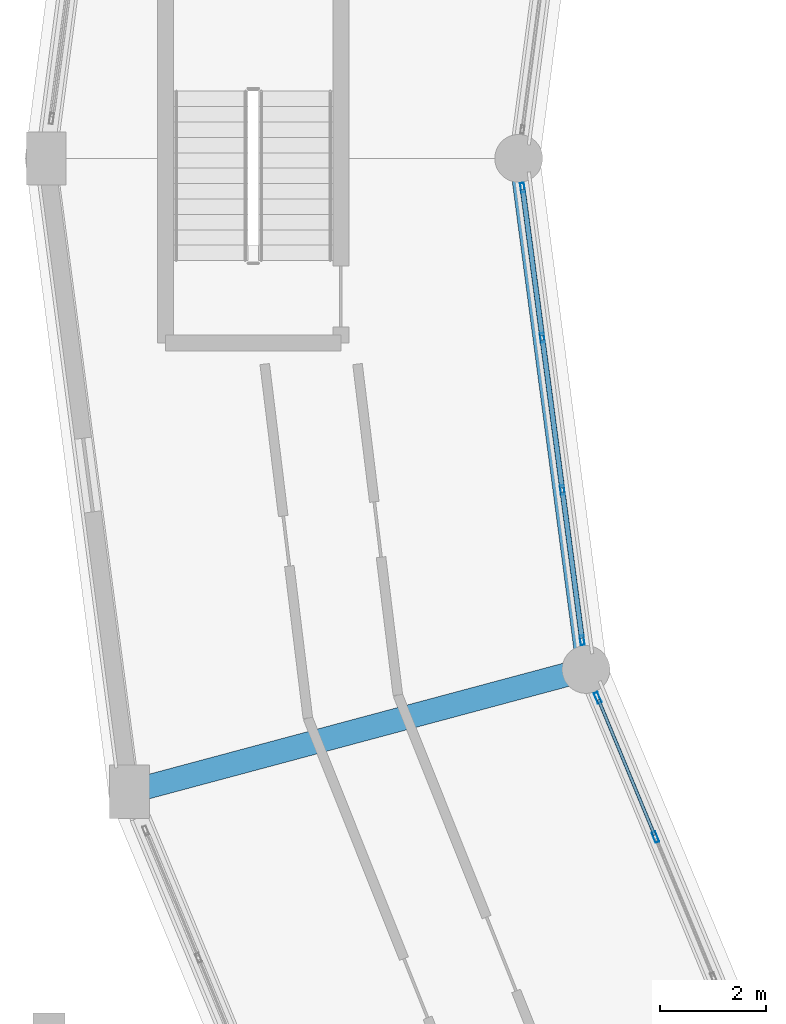
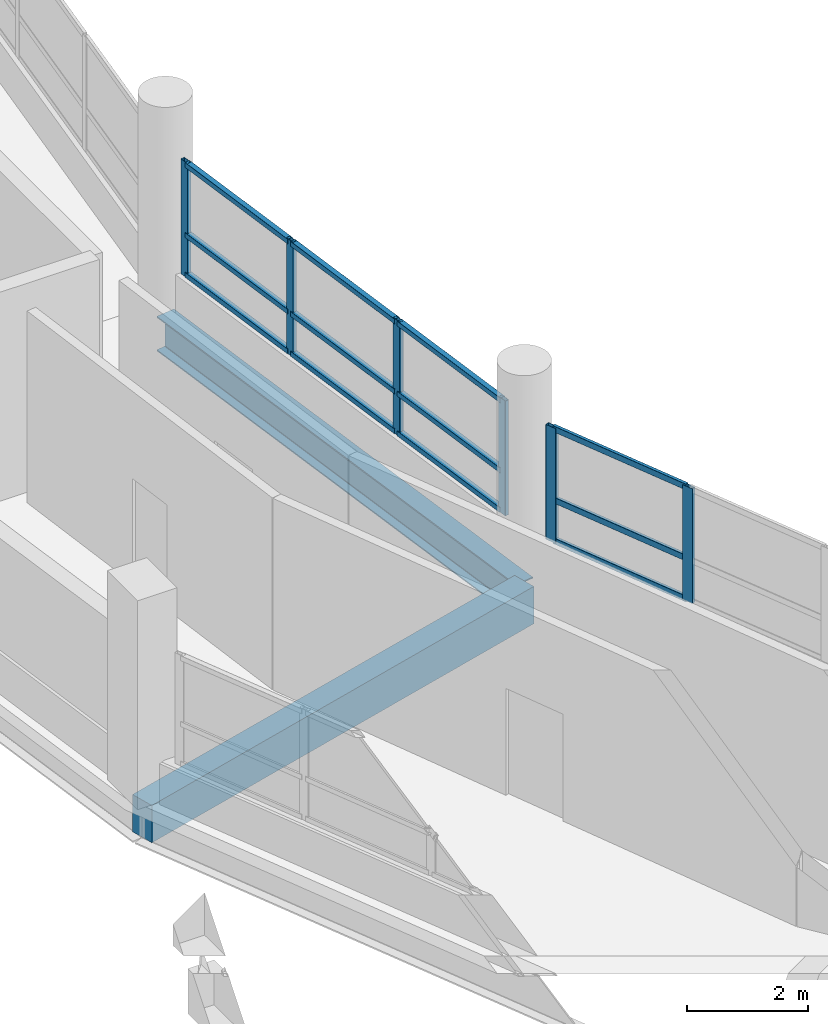
# One storey, part 34 of 128: 18 members, 2 beams, 2 elements without a shape of their own.
"""IFC4 building model written with IfcOpenShell, lengths in metres."""

from ifc_helpers import new_model, si_unit, direction, frame, origin, origin_2d, place, context, subcontext, project, spatial, rectangle, hollow_rectangle, i_section, extrude, material, layer, layer_set, material_profile, profile_set, type_object, element, aggregate, save


model = new_model("IFC4")

# Units and contexts
model_context = context("Model", 3, precision=1e-05, world=origin(), true_north=direction((0.0, 1.0)))
body_context = subcontext(model_context, "Body", "Model", "MODEL_VIEW")
ifc_project = project(units=[si_unit("LENGTHUNIT", "METRE"), si_unit("AREAUNIT", "SQUARE_METRE"), si_unit("VOLUMEUNIT", "CUBIC_METRE"), si_unit("PLANEANGLEUNIT", "RADIAN"), si_unit("MASSUNIT", "GRAM", prefix="KILO")], contexts=[model_context])

# Site, building, storey
site_placement = place(None, origin())
site = spatial("IfcSite", under=ifc_project, at=site_placement, CompositionType="ELEMENT")
building_placement = place(site_placement, origin())
building = spatial("IfcBuilding", under=site, at=building_placement, Name="Vespera Passage Community Centre", CompositionType="ELEMENT")
storey_placement = place(building_placement, frame((0.0, 0.0, 4.5)))
storey = spatial("IfcBuildingStorey", under=building, at=storey_placement, Name="L01", CompositionType="ELEMENT", Elevation=4.5)

# Beams
ifc_material_1 = material(Name="Concrete f'c 35 MPa", Category="concrete")
ifc_material_profile_1 = material_profile(ifc_material_1, rectangle(XDim=0.449951171875, YDim=0.75, at=origin_2d()), Name="RC450X750")
ifc_profile_set_1 = profile_set([ifc_material_profile_1], Name="Concrete f'c 35 MPa")
beam_type_1 = type_object("IfcBeamType", Name="BM-G-450X750", PredefinedType="BEAM", material=ifc_profile_set_1)
beam_1_placement = place(storey_placement, frame((42.067626953125, 55.871826171875, -0.614990234375), z_axis=(-0.9659278487, -0.258811497245, 0.0), x_axis=(0.258811497245, -0.9659278487, 0.0)))
element("IfcBeam", 1, at=beam_1_placement, inside=storey, type_object=beam_type_1, Name="V4 L01 Radial Girder 13", PredefinedType="BEAM", context=body_context, shape_type="SweptSolid", body=[
    extrude(rectangle(XDim=0.449951171875, YDim=0.75, at=origin_2d()), origin(), (0.0, 0.0, 1.0), 8.900146484375),
])
ifc_material_2 = material(Name="Steel ASTM A992 Grade 50", Category="steel")
ifc_material_profile_2 = material_profile(ifc_material_2, i_section(OverallWidth=0.3544921875, OverallDepth=0.695556640625, WebThickness=0.015380859375, FlangeThickness=0.024658203125, FilletRadius=0.01513671875, at=origin_2d()), Name="W27X146")
ifc_profile_set_2 = profile_set([ifc_material_profile_2], Name="Steel ASTM A992 Grade 50")
beam_type_2 = type_object("IfcBeamType", Name="BM-SP-W27X146E", PredefinedType="SPANDREL", material=ifc_profile_set_2)
beam_2_placement = place(storey_placement, frame((40.800048828125, 65.5, -0.587890625), z_axis=(0.130526697639, -0.991444794834, 0.0), x_axis=(0.991444794834, 0.130526697639, 0.0)))
element("IfcBeam", 2, at=beam_2_placement, inside=storey, type_object=beam_type_2, Name="V4 L01 Inner Spandrel 12", PredefinedType="SPANDREL", context=body_context, shape_type="SweptSolid", body=[
    extrude(i_section(OverallWidth=0.3544921875, OverallDepth=0.695556640625, WebThickness=0.015380859375, FlangeThickness=0.024658203125, FilletRadius=0.01513671875, at=origin_2d()), origin(), (0.0, 0.0, 1.0), 9.711181640625),
])

# Curtain wall, members
ifc_material_3 = material(Name="Anodized aluminium 6063-T6", Category="aluminium")
ifc_layer_1 = layer(ifc_material_3, 0.159912109375)
ifc_layer_set_1 = layer_set([ifc_layer_1], Name="Anodized aluminium 6063-T6")
curtain_wall_type_1 = type_object("IfcCurtainWallType", Name="CW-22E", PredefinedType="NOTDEFINED", material=ifc_layer_set_1)
curtain_wall_1_placement = place(storey_placement, origin())
curtain_wall_1 = element("IfcCurtainWall", 3, at=curtain_wall_1_placement, inside=storey, type_object=curtain_wall_type_1, Name="V4 L01 Inner Court Curtain Wall 12", PredefinedType="NOTDEFINED")
ifc_material_4 = material(Name="Anodized aluminium 6063-T6", Category="aluminium")
ifc_material_profile_3 = material_profile(ifc_material_4, hollow_rectangle(XDim=0.074951171875, YDim=0.179931640625, WallThickness=0.0048828125, InnerFilletRadius=0.00244140625, OuterFilletRadius=0.0048828125, at=origin_2d()), Name="ALU180X75X5")
ifc_profile_set_3 = profile_set([ifc_material_profile_3], Name="Anodized aluminium 6063-T6")
member_type_1 = type_object("IfcMemberType", Name="MB-CWM-180E", PredefinedType="MULLION", material=ifc_profile_set_3)
member_1_placement = place(storey_placement, frame((40.87255859375, 64.94970703125, 0.820068359375), z_axis=(0.0, 0.0, 1.0), x_axis=(0.991445387728, 0.1305221941, 0.0)))
member_1 = element("IfcMember", 4, at=member_1_placement, type_object=member_type_1, Name="CW-22E mullion 1", PredefinedType="MULLION", context=body_context, shape_type="SweptSolid", body=[
    extrude(hollow_rectangle(XDim=0.074951171875, YDim=0.179931640625, WallThickness=0.0048828125, InnerFilletRadius=0.00244140625, OuterFilletRadius=0.0048828125, at=origin_2d()), origin(), (0.0, 0.0, 1.0), 2.309326171875),
])
member_2_placement = place(storey_placement, frame((41.2451171875, 62.11962890625, 0.820068359375), z_axis=(0.0, 0.0, 1.0), x_axis=(0.991445387728, 0.1305221941, 0.0)))
member_2 = element("IfcMember", 5, at=member_2_placement, type_object=member_type_1, Name="CW-22E mullion 2", PredefinedType="MULLION", context=body_context, shape_type="SweptSolid", body=[
    extrude(hollow_rectangle(XDim=0.074951171875, YDim=0.179931640625, WallThickness=0.0048828125, InnerFilletRadius=0.00244140625, OuterFilletRadius=0.0048828125, at=origin_2d()), origin(), (0.0, 0.0, 1.0), 2.309326171875),
])
member_3_placement = place(storey_placement, frame((41.62255859375, 59.25244140625, 0.820068359375), z_axis=(0.0, 0.0, 1.0), x_axis=(0.991445387728, 0.1305221941, 0.0)))
member_3 = element("IfcMember", 6, at=member_3_placement, type_object=member_type_1, Name="CW-22E mullion 3", PredefinedType="MULLION", context=body_context, shape_type="SweptSolid", body=[
    extrude(hollow_rectangle(XDim=0.074951171875, YDim=0.179931640625, WallThickness=0.0048828125, InnerFilletRadius=0.00244140625, OuterFilletRadius=0.0048828125, at=origin_2d()), origin(), (0.0, 0.0, 1.0), 2.309326171875),
])
member_4_placement = place(storey_placement, frame((41.9951171875, 56.42236328125, 0.820068359375), z_axis=(0.0, 0.0, 1.0), x_axis=(0.991445387728, 0.1305221941, 0.0)))
member_4 = element("IfcMember", 7, at=member_4_placement, type_object=member_type_1, Name="CW-22E mullion 4", PredefinedType="MULLION", context=body_context, shape_type="SweptSolid", body=[
    extrude(hollow_rectangle(XDim=0.074951171875, YDim=0.179931640625, WallThickness=0.0048828125, InnerFilletRadius=0.00244140625, OuterFilletRadius=0.0048828125, at=origin_2d()), origin(), (0.0, 0.0, 1.0), 2.309326171875),
])

ifc_material_5 = material(Name="Anodized aluminium 6063-T6", Category="aluminium")
ifc_layer_2 = layer(ifc_material_5, 0.159912109375)
ifc_layer_set_2 = layer_set([ifc_layer_2], Name="Anodized aluminium 6063-T6")
curtain_wall_type_2 = type_object("IfcCurtainWallType", Name="CW-12E", PredefinedType="NOTDEFINED", material=ifc_layer_set_2)
curtain_wall_2_placement = place(storey_placement, origin())
curtain_wall_2 = element("IfcCurtainWall", 8, at=curtain_wall_2_placement, inside=storey, type_object=curtain_wall_type_2, Name="V4 L01 Inner Court Curtain Wall 13", PredefinedType="NOTDEFINED")
ifc_material_6 = material(Name="Anodized aluminium 6063-T6", Category="aluminium")
ifc_material_profile_4 = material_profile(ifc_material_6, hollow_rectangle(XDim=0.074951171875, YDim=0.2099609375, WallThickness=0.0048828125, InnerFilletRadius=0.00244140625, OuterFilletRadius=0.0048828125, at=origin_2d()), Name="ALU210X75X5")
ifc_profile_set_4 = profile_set([ifc_material_profile_4], Name="Anodized aluminium 6063-T6")
member_type_2 = type_object("IfcMemberType", Name="MB-CWM-210E", PredefinedType="MULLION", material=ifc_profile_set_4)
member_5_placement = place(storey_placement, frame((42.288330078125, 55.338623046875, 0.820068359375), z_axis=(0.0, 0.0, 1.0), x_axis=(0.923876620096, 0.382690463482, 0.0)))
member_5 = element("IfcMember", 9, at=member_5_placement, type_object=member_type_2, Name="CW-12E mullion 1", PredefinedType="MULLION", context=body_context, shape_type="SweptSolid", body=[
    extrude(hollow_rectangle(XDim=0.074951171875, YDim=0.2099609375, WallThickness=0.0048828125, InnerFilletRadius=0.00244140625, OuterFilletRadius=0.0048828125, at=origin_2d()), origin(), (0.0, 0.0, 1.0), 2.309326171875),
])
member_6_placement = place(storey_placement, frame((43.375244140625, 52.715087890625, 0.820068359375), z_axis=(0.0, 0.0, 1.0), x_axis=(0.923876620096, 0.382690463482, 0.0)))
member_6 = element("IfcMember", 10, at=member_6_placement, type_object=member_type_2, Name="CW-12E mullion 2", PredefinedType="MULLION", context=body_context, shape_type="SweptSolid", body=[
    extrude(hollow_rectangle(XDim=0.074951171875, YDim=0.2099609375, WallThickness=0.0048828125, InnerFilletRadius=0.00244140625, OuterFilletRadius=0.0048828125, at=origin_2d()), origin(), (0.0, 0.0, 1.0), 2.309326171875),
])

# Member
ifc_material_7 = material(Name="Anodized aluminium 6063-T6", Category="aluminium")
ifc_material_profile_5 = material_profile(ifc_material_7, hollow_rectangle(XDim=0.10009765625, YDim=0.10009765625, WallThickness=0.00390625, InnerFilletRadius=0.001953125, OuterFilletRadius=0.00390625, at=origin_2d()), Name="ALU100X100X4")
ifc_profile_set_5 = profile_set([ifc_material_profile_5], Name="Anodized aluminium 6063-T6")
member_type_3 = type_object("IfcMemberType", Name="MB-CWT-100E", PredefinedType="USERDEFINED", material=ifc_profile_set_5)
member_7_placement = place(storey_placement, frame((40.87744140625, 64.912353515625, 0.8701171875), z_axis=(0.130529495678, -0.99144442646, 0.0), x_axis=(0.99144442646, 0.130529495678, 0.0)))
member_7 = element("IfcMember", 11, at=member_7_placement, type_object=member_type_3, Name="CW-22E transom 1.1", ObjectType="TRANSOM", PredefinedType="USERDEFINED", context=body_context, shape_type="SweptSolid", body=[
    extrude(hollow_rectangle(XDim=0.10009765625, YDim=0.10009765625, WallThickness=0.00390625, InnerFilletRadius=0.001953125, OuterFilletRadius=0.00390625, at=origin_2d()), origin(), (0.0, 0.0, 1.0), 2.779296875),
])

member_8_placement = place(storey_placement, frame((40.87744140625, 64.912353515625, 1.669921875), z_axis=(0.130529495678, -0.99144442646, 0.0), x_axis=(0.99144442646, 0.130529495678, 0.0)))
member_8 = element("IfcMember", 12, at=member_8_placement, type_object=member_type_3, Name="CW-22E transom 1.2", ObjectType="TRANSOM", PredefinedType="USERDEFINED", context=body_context, shape_type="SweptSolid", body=[
    extrude(hollow_rectangle(XDim=0.10009765625, YDim=0.10009765625, WallThickness=0.00390625, InnerFilletRadius=0.001953125, OuterFilletRadius=0.00390625, at=origin_2d()), origin(), (0.0, 0.0, 1.0), 2.779296875),
])

member_9_placement = place(storey_placement, frame((40.87744140625, 64.912353515625, 3.07958984375), z_axis=(0.130529495678, -0.99144442646, 0.0), x_axis=(0.99144442646, 0.130529495678, 0.0)))
member_9 = element("IfcMember", 13, at=member_9_placement, type_object=member_type_3, Name="CW-22E transom 1.3", ObjectType="TRANSOM", PredefinedType="USERDEFINED", context=body_context, shape_type="SweptSolid", body=[
    extrude(hollow_rectangle(XDim=0.10009765625, YDim=0.10009765625, WallThickness=0.00390625, InnerFilletRadius=0.001953125, OuterFilletRadius=0.00390625, at=origin_2d()), origin(), (0.0, 0.0, 1.0), 2.779296875),
])

member_10_placement = place(storey_placement, frame((41.25, 62.082275390625, 0.8701171875), z_axis=(0.130528499327, -0.991444557635, 0.0), x_axis=(0.991444557635, 0.130528499327, 0.0)))
member_10 = element("IfcMember", 14, at=member_10_placement, type_object=member_type_3, Name="CW-22E transom 2.1", ObjectType="TRANSOM", PredefinedType="USERDEFINED", context=body_context, shape_type="SweptSolid", body=[
    extrude(hollow_rectangle(XDim=0.10009765625, YDim=0.10009765625, WallThickness=0.00390625, InnerFilletRadius=0.001953125, OuterFilletRadius=0.00390625, at=origin_2d()), origin(), (0.0, 0.0, 1.0), 2.81689453125),
])

member_11_placement = place(storey_placement, frame((41.25, 62.082275390625, 1.669921875), z_axis=(0.130528499327, -0.991444557635, 0.0), x_axis=(0.991444557635, 0.130528499327, 0.0)))
member_11 = element("IfcMember", 15, at=member_11_placement, type_object=member_type_3, Name="CW-22E transom 2.2", ObjectType="TRANSOM", PredefinedType="USERDEFINED", context=body_context, shape_type="SweptSolid", body=[
    extrude(hollow_rectangle(XDim=0.10009765625, YDim=0.10009765625, WallThickness=0.00390625, InnerFilletRadius=0.001953125, OuterFilletRadius=0.00390625, at=origin_2d()), origin(), (0.0, 0.0, 1.0), 2.81689453125),
])

member_12_placement = place(storey_placement, frame((41.25, 62.082275390625, 3.07958984375), z_axis=(0.130528499327, -0.991444557635, 0.0), x_axis=(0.991444557635, 0.130528499327, 0.0)))
member_12 = element("IfcMember", 16, at=member_12_placement, type_object=member_type_3, Name="CW-22E transom 2.3", ObjectType="TRANSOM", PredefinedType="USERDEFINED", context=body_context, shape_type="SweptSolid", body=[
    extrude(hollow_rectangle(XDim=0.10009765625, YDim=0.10009765625, WallThickness=0.00390625, InnerFilletRadius=0.001953125, OuterFilletRadius=0.00390625, at=origin_2d()), origin(), (0.0, 0.0, 1.0), 2.81689453125),
])

member_13_placement = place(storey_placement, frame((41.62744140625, 59.215087890625, 0.8701171875), z_axis=(0.130529495678, -0.99144442646, 0.0), x_axis=(0.99144442646, 0.130529495678, 0.0)))
member_13 = element("IfcMember", 17, at=member_13_placement, type_object=member_type_3, Name="CW-22E transom 3.1", ObjectType="TRANSOM", PredefinedType="USERDEFINED", context=body_context, shape_type="SweptSolid", body=[
    extrude(hollow_rectangle(XDim=0.10009765625, YDim=0.10009765625, WallThickness=0.00390625, InnerFilletRadius=0.001953125, OuterFilletRadius=0.00390625, at=origin_2d()), origin(), (0.0, 0.0, 1.0), 2.779296875),
])

member_14_placement = place(storey_placement, frame((41.62744140625, 59.215087890625, 1.669921875), z_axis=(0.130529495678, -0.99144442646, 0.0), x_axis=(0.99144442646, 0.130529495678, 0.0)))
member_14 = element("IfcMember", 18, at=member_14_placement, type_object=member_type_3, Name="CW-22E transom 3.2", ObjectType="TRANSOM", PredefinedType="USERDEFINED", context=body_context, shape_type="SweptSolid", body=[
    extrude(hollow_rectangle(XDim=0.10009765625, YDim=0.10009765625, WallThickness=0.00390625, InnerFilletRadius=0.001953125, OuterFilletRadius=0.00390625, at=origin_2d()), origin(), (0.0, 0.0, 1.0), 2.779296875),
])

member_15_placement = place(storey_placement, frame((41.62744140625, 59.215087890625, 3.07958984375), z_axis=(0.130529495678, -0.99144442646, 0.0), x_axis=(0.99144442646, 0.130529495678, 0.0)))
member_15 = element("IfcMember", 19, at=member_15_placement, type_object=member_type_3, Name="CW-22E transom 3.3", ObjectType="TRANSOM", PredefinedType="USERDEFINED", context=body_context, shape_type="SweptSolid", body=[
    extrude(hollow_rectangle(XDim=0.10009765625, YDim=0.10009765625, WallThickness=0.00390625, InnerFilletRadius=0.001953125, OuterFilletRadius=0.00390625, at=origin_2d()), origin(), (0.0, 0.0, 1.0), 2.779296875),
])

aggregate(curtain_wall_1, [member_1, member_2, member_3, member_4, member_7, member_8, member_9, member_10, member_11, member_12, member_13, member_14, member_15])

ifc_material_8 = material(Name="Anodized aluminium 6063-T6", Category="aluminium")
ifc_material_profile_6 = material_profile(ifc_material_8, hollow_rectangle(XDim=0.06005859375, YDim=0.1201171875, WallThickness=0.00390625, InnerFilletRadius=0.001953125, OuterFilletRadius=0.00390625, at=origin_2d()), Name="ALU120X60X4")
ifc_profile_set_6 = profile_set([ifc_material_profile_6], Name="Anodized aluminium 6063-T6")
member_type_4 = type_object("IfcMemberType", Name="MB-CWT-120E", PredefinedType="USERDEFINED", material=ifc_profile_set_6)
member_16_placement = place(storey_placement, frame((42.302734375, 55.303955078125, 0.85009765625), z_axis=(0.382720946689, -0.923863992677, 0.0), x_axis=(0.923863992677, 0.382720946689, 0.0)))
member_16 = element("IfcMember", 20, at=member_16_placement, type_object=member_type_4, Name="CW-12E transom 1.1", ObjectType="TRANSOM", PredefinedType="USERDEFINED", context=body_context, shape_type="SweptSolid", body=[
    extrude(hollow_rectangle(XDim=0.06005859375, YDim=0.1201171875, WallThickness=0.00390625, InnerFilletRadius=0.001953125, OuterFilletRadius=0.00390625, at=origin_2d()), origin(), (0.0, 0.0, 1.0), 2.7646484375),
])

member_17_placement = place(storey_placement, frame((42.302734375, 55.303955078125, 1.669921875), z_axis=(0.382720946689, -0.923863992677, 0.0), x_axis=(0.923863992677, 0.382720946689, 0.0)))
member_17 = element("IfcMember", 21, at=member_17_placement, type_object=member_type_4, Name="CW-12E transom 1.2", ObjectType="TRANSOM", PredefinedType="USERDEFINED", context=body_context, shape_type="SweptSolid", body=[
    extrude(hollow_rectangle(XDim=0.06005859375, YDim=0.1201171875, WallThickness=0.00390625, InnerFilletRadius=0.001953125, OuterFilletRadius=0.00390625, at=origin_2d()), origin(), (0.0, 0.0, 1.0), 2.7646484375),
])

member_18_placement = place(storey_placement, frame((42.302734375, 55.303955078125, 3.099609375), z_axis=(0.382720946689, -0.923863992677, 0.0), x_axis=(0.923863992677, 0.382720946689, 0.0)))
member_18 = element("IfcMember", 22, at=member_18_placement, type_object=member_type_4, Name="CW-12E transom 1.3", ObjectType="TRANSOM", PredefinedType="USERDEFINED", context=body_context, shape_type="SweptSolid", body=[
    extrude(hollow_rectangle(XDim=0.06005859375, YDim=0.1201171875, WallThickness=0.00390625, InnerFilletRadius=0.001953125, OuterFilletRadius=0.00390625, at=origin_2d()), origin(), (0.0, 0.0, 1.0), 2.7646484375),
])

aggregate(curtain_wall_2, [member_5, member_6, member_16, member_17, member_18])

save(model, "model.ifc")
